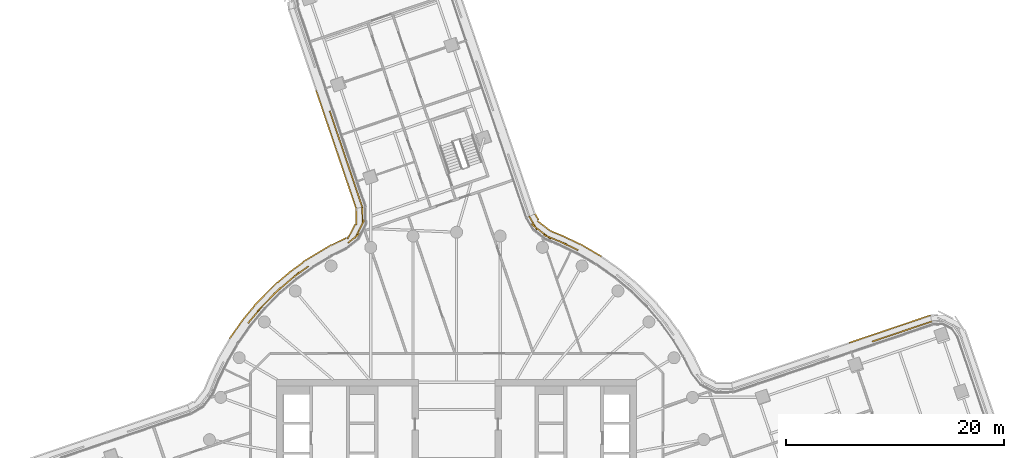
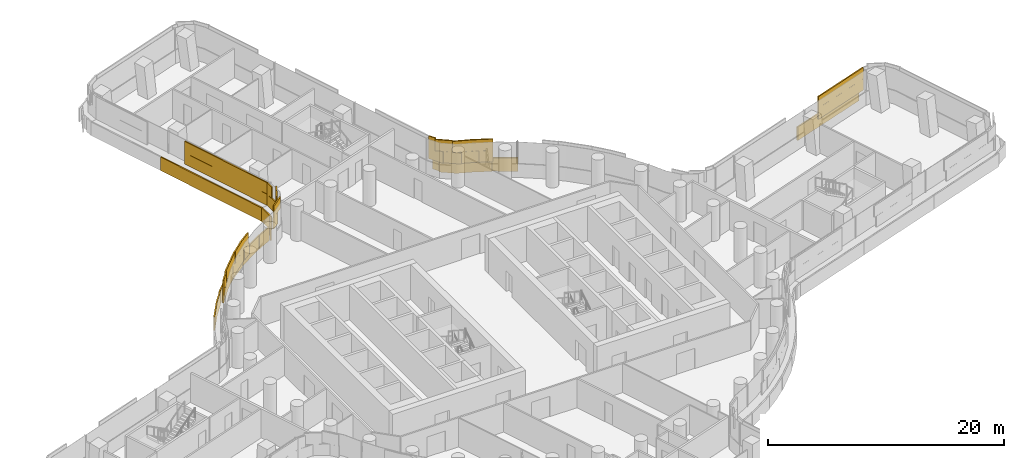
# One storey, part 28 of 29: 4 coverings.
"""IFC4 building model written with IfcOpenShell, lengths in metres."""

import ifcopenshell
import ifcopenshell.guid

model = None  # the IFC model being written
_history = None  # IfcOwnerHistory: only IFC2X3 demands one
_inside = {}  # id of a spatial element -> (the spatial element, [elements in it])
_under = {}  # id of a project, library or spatial element -> (it, [spatial elements below it])
_declared = {}  # id of a project -> (the project, [libraries it declares])
_typed = {}  # id of a type object -> (the type object, [elements of that type])
_made_of = {}  # id of a material, layer set ... -> (it, [elements and type objects made of it])


def new_model(schema):
    """Start an empty IFC model of exactly this schema.

    Asked for "IFC4X3", IfcOpenShell would pick the latest addendum, in which some entities
    have other attributes; the version numbers below select the first issue.
    IFC2X3 requires an IfcOwnerHistory on every rooted entity: one is made here for all.
    """
    global model, _history
    if schema == "IFC4X3":
        model = ifcopenshell.file(schema_version=(4, 3, 0, 0))
    else:
        model = ifcopenshell.file(schema=schema)
    _inside.clear()
    _under.clear()
    _declared.clear()
    _typed.clear()
    _made_of.clear()
    _history = None
    if model.schema == "IFC2X3":
        org = make("IfcOrganization", Name="unknown")
        user = make(
            "IfcPersonAndOrganization",
            ThePerson=make("IfcPerson", FamilyName="unknown"),
            TheOrganization=org,
        )
        app = make(
            "IfcApplication",
            ApplicationDeveloper=org,
            Version="unknown",
            ApplicationFullName="unknown",
            ApplicationIdentifier="unknown",
        )
        _history = make(
            "IfcOwnerHistory",
            OwningUser=user,
            OwningApplication=app,
            ChangeAction="ADDED",
            CreationDate=0,
        )
    return model


def make(cls, **values):
    """One entity of the class cls with the attributes given. An attribute that is None is left unset."""
    return model.create_entity(
        cls, **{name: value for name, value in values.items() if value is not None}
    )


def rooted(cls, **values):
    """An entity with a GlobalId (a new one), such as an element, a storey or a relation."""
    return make(cls, GlobalId=ifcopenshell.guid.new(), OwnerHistory=_history, **values)


def si_unit(unit_type, name, prefix=None):
    """IfcSIUnit, for example si_unit("LENGTHUNIT", "METRE", prefix="MILLI")."""
    return make("IfcSIUnit", UnitType=unit_type, Prefix=prefix, Name=name)


def assignment(units):
    """IfcUnitAssignment: the units of a project."""
    return None if units is None else make("IfcUnitAssignment", Units=units)


def point(xyz):
    """IfcCartesianPoint."""
    return None if xyz is None else make("IfcCartesianPoint", Coordinates=xyz)


def direction(xyz):
    """IfcDirection."""
    return None if xyz is None else make("IfcDirection", DirectionRatios=xyz)


def frame(location, z_axis=None, x_axis=None):
    """IfcAxis2Placement3D, a coordinate frame: its origin and axes. An axis left out is left unset."""
    return make(
        "IfcAxis2Placement3D",
        Location=point(location),
        Axis=direction(z_axis),
        RefDirection=direction(x_axis),
    )


def frame_2d(location, x_axis=None):
    """IfcAxis2Placement2D, a coordinate frame in the plane: its origin and x axis."""
    return make(
        "IfcAxis2Placement2D", Location=point(location), RefDirection=direction(x_axis)
    )


def origin():
    """The frame at (0, 0, 0) with its axes left unset."""
    return frame((0.0, 0.0, 0.0))


def origin_2d():
    """The frame at (0, 0) in the plane with its x axis left unset."""
    return frame_2d((0.0, 0.0))


def place(relative_to, where):
    """IfcLocalPlacement: puts the frame where relative to a parent placement (None: the world)."""
    return make(
        "IfcLocalPlacement", PlacementRelTo=relative_to, RelativePlacement=where
    )


def context(
    kind, dimensions, precision=None, world=None, true_north=None, identifier=None
):
    """IfcGeometricRepresentationContext, for example the 3D "Model" context."""
    return make(
        "IfcGeometricRepresentationContext",
        ContextIdentifier=identifier,
        ContextType=kind,
        CoordinateSpaceDimension=dimensions,
        Precision=precision,
        WorldCoordinateSystem=world,
        TrueNorth=true_north,
    )


def subcontext(parent, identifier, kind, view, scale=None):
    """IfcGeometricRepresentationSubContext, for example "Body" below "Model"."""
    return make(
        "IfcGeometricRepresentationSubContext",
        ContextIdentifier=identifier,
        ContextType=kind,
        ParentContext=parent,
        TargetScale=scale,
        TargetView=view,
    )


def project(units=None, contexts=None):
    """IfcProject with its units and contexts."""
    return rooted(
        "IfcProject",
        Name="project",
        RepresentationContexts=contexts,
        UnitsInContext=assignment(units),
    )


def spatial(cls, under=None, at=None, **own):
    """A site, building, storey or space (cls), placed at a placement, below another one or the project."""
    s = rooted(cls, ObjectPlacement=at, **own)
    if under is not None:
        _under.setdefault(under.id(), (under, []))[1].append(s)
    return s


def profile(cls, at=None, kind="AREA", **sizes):
    """A parametric profile (cls). Its sizes go by their IFC names, for example OverallWidth=200.0."""
    return make(cls, ProfileType=kind, Position=at, **sizes)


def rectangle(**sizes):
    """IfcRectangleProfileDef."""
    return profile("IfcRectangleProfileDef", **sizes)


def extrude(swept, where, along, depth):
    """IfcExtrudedAreaSolid: the profile swept, set in the frame where, extruded along a direction by depth."""
    return make(
        "IfcExtrudedAreaSolid",
        SweptArea=swept,
        Position=where,
        ExtrudedDirection=direction(along),
        Depth=depth,
    )


def shape(context_of_items, identifier, shape_type, items):
    """IfcShapeRepresentation: the items that make up one representation, for example the "Body"."""
    return make(
        "IfcShapeRepresentation",
        ContextOfItems=context_of_items,
        RepresentationIdentifier=identifier,
        RepresentationType=shape_type,
        Items=items,
    )


def material(Name=None, Category=None):
    """IfcMaterial."""
    return make("IfcMaterial", Name=Name, Category=Category)


def layer(
    of_material, thickness, ventilated=None, Name=None, Category=None, Priority=None
):
    """IfcMaterialLayer: one layer of a wall or slab, of a material (None: an air gap)."""
    return make(
        "IfcMaterialLayer",
        Material=of_material,
        LayerThickness=thickness,
        IsVentilated=ventilated,
        Name=Name,
        Category=Category,
        Priority=Priority,
    )


def layer_set(layers, Name=None):
    """IfcMaterialLayerSet."""
    return make("IfcMaterialLayerSet", MaterialLayers=layers, LayerSetName=Name)


def made_of(thing, what):
    """Note that an element or type object is made of a material, layer set ...; save() writes the relation."""
    if what is not None:
        _made_of.setdefault(what.id(), (what, []))[1].append(thing)
    return thing


def type_object(cls, material=None, **own):
    """A type object (cls), such as IfcWallType, which elements share."""
    return made_of(rooted(cls, **own), material)


def element(
    cls,
    number,
    at=None,
    inside=None,
    cuts=None,
    type_object=None,
    material=None,
    context=None,
    identifier="Body",
    shape_type=None,
    held_by="IfcProductDefinitionShape",
    body=None,
    shapes=None,
    **own,
):
    """One element of the class cls, such as IfcWall. Its Tag is "e" and its number.

    at: its placement. inside: the storey or other place that contains it. cuts: it is an
    opening in that element (IfcRelVoidsElement). A single representation is given by context,
    identifier, shape_type and body (its items); several are given by shapes. held_by: the class
    of the entity that holds the representations. save() writes the other relations.
    """
    e = rooted(cls, Tag="e%d" % number, ObjectPlacement=at, **own)
    if body is not None:
        shapes = [shape(context, identifier, shape_type, body)]
    if shapes is not None:
        e.Representation = make(held_by, Representations=shapes)
    if inside is not None:
        _inside.setdefault(inside.id(), (inside, []))[1].append(e)
    if cuts is not None:
        rooted(
            "IfcRelVoidsElement", RelatingBuildingElement=cuts, RelatedOpeningElement=e
        )
    if type_object is not None:
        _typed.setdefault(type_object.id(), (type_object, []))[1].append(e)
    return made_of(e, material)


def aggregate(whole, parts):
    """IfcRelAggregates: a whole, such as a stair, and the parts it consists of."""
    return rooted("IfcRelAggregates", RelatingObject=whole, RelatedObjects=parts)


def save(model, path):
    """Write the relations noted so far, then the file.

    IfcRelAggregates (storeys below a building ...), IfcRelContainedInSpatialStructure (elements
    in a storey), IfcRelDefinesByType, IfcRelAssociatesMaterial and IfcRelDeclares: one each for
    every whole, place, type object, material and project.
    """
    for whole, parts in _under.values():
        aggregate(whole, parts)
    for where, things in _inside.values():
        rooted(
            "IfcRelContainedInSpatialStructure",
            RelatedElements=things,
            RelatingStructure=where,
        )
    for kind, things in _typed.values():
        rooted("IfcRelDefinesByType", RelatedObjects=things, RelatingType=kind)
    for what, things in _made_of.values():
        rooted("IfcRelAssociatesMaterial", RelatedObjects=things, RelatingMaterial=what)
    for by, libraries in _declared.values():
        rooted("IfcRelDeclares", RelatingContext=by, RelatedDefinitions=libraries)
    model.write(path)


model = new_model("IFC4")

# Units and contexts
model_context = context("Model", 3, precision=1e-05, world=origin(), true_north=direction((0.0, 1.0)))
body_context = subcontext(model_context, "Body", "Model", "MODEL_VIEW")
ifc_project = project(units=[si_unit("LENGTHUNIT", "METRE"), si_unit("AREAUNIT", "SQUARE_METRE"), si_unit("VOLUMEUNIT", "CUBIC_METRE"), si_unit("PLANEANGLEUNIT", "RADIAN"), si_unit("MASSUNIT", "GRAM", prefix="KILO")], contexts=[model_context])

# Site, building, storey
site_placement = place(None, origin())
site = spatial("IfcSite", under=ifc_project, at=site_placement, CompositionType="ELEMENT")
building_placement = place(site_placement, origin())
building = spatial("IfcBuilding", under=site, at=building_placement, Name="Tamarind Cross Interchange Tower", CompositionType="ELEMENT")
storey_placement = place(building_placement, frame((0.0, 0.0, 102.25)))
storey = spatial("IfcBuildingStorey", under=building, at=storey_placement, Name="L24", CompositionType="ELEMENT", Elevation=102.25)

# Coverings
ifc_material = material(Name="Terracotta", Category="masonry")
ifc_layer = layer(ifc_material, 0.1201171875)
ifc_layer_set = layer_set([ifc_layer], Name="Terracotta")
covering_type = type_object("IfcCoveringType", Name="Terracotta baguette screen unit", PredefinedType="MOLDING", material=ifc_layer_set)
covering_1_placement = place(storey_placement, origin())
element("IfcCovering", 1, at=covering_1_placement, inside=storey, type_object=covering_type, Name="SCR-L24-09-00", PredefinedType="MOLDING", context=body_context, shape_type="SweptSolid", body=[
    extrude(rectangle(XDim=1.510009765625, YDim=0.1201171875, at=origin_2d()), frame((42.8203125, 14.58154296875, 1.404052734375), z_axis=(0.0, 0.0, 1.0), x_axis=(-0.947092988773, -0.320959297445, 0.0)), (0.0, 0.0, 1.0), 1.1669921875),
    extrude(rectangle(XDim=1.52001953125, YDim=0.1201171875, at=origin_2d()), frame((41.399658203125, 14.10009765625, 1.404052734375), z_axis=(0.0, 0.0, 1.0), x_axis=(-0.947092988773, -0.320959297445, 0.0)), (0.0, 0.0, 1.0), 1.1669921875),
    extrude(rectangle(XDim=1.52001953125, YDim=0.1201171875, at=origin_2d()), frame((39.97900390625, 13.61865234375, 1.404052734375), z_axis=(0.0, 0.0, 1.0), x_axis=(-0.947092988773, -0.320959297445, 0.0)), (0.0, 0.0, 1.0), 1.1669921875),
    extrude(rectangle(XDim=1.256591796875, YDim=0.1201171875, at=origin_2d()), frame((38.678466796875, 13.177734375, 1.404052734375), z_axis=(0.0, 0.0, 1.0), x_axis=(-0.947092988773, -0.320959297445, 0.0)), (0.0, 0.0, 1.0), 1.1669921875),
    extrude(rectangle(XDim=0.760009765625, YDim=0.1201171875, at=origin_2d()), frame((43.175537109375, 14.701904296875, 2.5791015625), z_axis=(0.0, 0.0, 1.0), x_axis=(-0.947092988773, -0.320959297445, 0.0)), (0.0, 0.0, 1.0), 1.1669921875),
    extrude(rectangle(XDim=1.52001953125, YDim=0.1201171875, at=origin_2d()), frame((42.110107421875, 14.3408203125, 2.5791015625), z_axis=(0.0, 0.0, 1.0), x_axis=(-0.947092988773, -0.320959297445, 0.0)), (0.0, 0.0, 1.0), 1.1669921875),
    extrude(rectangle(XDim=1.52001953125, YDim=0.1201171875, at=origin_2d()), frame((40.689453125, 13.859375, 2.5791015625), z_axis=(0.0, 0.0, 1.0), x_axis=(-0.947092988773, -0.320959297445, 0.0)), (0.0, 0.0, 1.0), 1.1669921875),
    extrude(rectangle(XDim=1.52001953125, YDim=0.1201171875, at=origin_2d()), frame((39.268798828125, 13.3779296875, 2.5791015625), z_axis=(0.0, 0.0, 1.0), x_axis=(-0.947092988773, -0.320959297445, 0.0)), (0.0, 0.0, 1.0), 1.1669921875),
    extrude(rectangle(XDim=0.506591796875, YDim=0.1201171875, at=origin_2d()), frame((38.3232421875, 13.057373046875, 2.5791015625), z_axis=(0.0, 0.0, 1.0), x_axis=(-0.947092988773, -0.320959297445, 0.0)), (0.0, 0.0, 1.0), 1.1669921875),
    extrude(rectangle(XDim=1.510009765625, YDim=0.1201171875, at=origin_2d()), frame((42.70263671875, 15.1474609375, 0.00390625), z_axis=(0.0, 0.0, 1.0), x_axis=(-0.947092988773, -0.320959297445, 0.0)), (0.0, 0.0, 1.0), 1.39208984375),
    extrude(rectangle(XDim=1.52001953125, YDim=0.1201171875, at=origin_2d()), frame((41.28662109375, 14.667724609375, 0.00390625), z_axis=(0.0, 0.0, 1.0), x_axis=(-0.947092988773, -0.320959297445, 0.0)), (0.0, 0.0, 1.0), 1.39208984375),
    extrude(rectangle(XDim=1.52001953125, YDim=0.1201171875, at=origin_2d()), frame((39.865966796875, 14.186279296875, 0.00390625), z_axis=(0.0, 0.0, 1.0), x_axis=(-0.947092988773, -0.320959297445, 0.0)), (0.0, 0.0, 1.0), 1.39208984375),
    extrude(rectangle(XDim=1.52001953125, YDim=0.1201171875, at=origin_2d()), frame((38.4453125, 13.704833984375, 0.00390625), z_axis=(0.0, 0.0, 1.0), x_axis=(-0.947092988773, -0.320959297445, 0.0)), (0.0, 0.0, 1.0), 1.39208984375),
    extrude(rectangle(XDim=1.52001953125, YDim=0.1201171875, at=origin_2d()), frame((37.024658203125, 13.223388671875, 0.00390625), z_axis=(0.0, 0.0, 1.0), x_axis=(-0.947092988773, -0.320959297445, 0.0)), (0.0, 0.0, 1.0), 1.39208984375),
    extrude(rectangle(XDim=0.350341796875, YDim=0.1201171875, at=origin_2d()), frame((36.157958984375, 12.9296875, 0.00390625), z_axis=(0.0, 0.0, 1.0), x_axis=(-0.947092988773, -0.320959297445, 0.0)), (0.0, 0.0, 1.0), 1.39208984375),
])
covering_2_placement = place(storey_placement, origin())
element("IfcCovering", 2, at=covering_2_placement, inside=storey, type_object=covering_type, Name="SCR-L24-10-01", PredefinedType="MOLDING", context=body_context, shape_type="SweptSolid", body=[
    extrude(rectangle(XDim=1.19775390625, YDim=0.1201171875, at=origin_2d()), frame((10.58984375, 21.610595703125, 1.404052734375), z_axis=(0.0, 0.0, 1.0), x_axis=(-0.900272776334, 0.435326231914, 0.0)), (0.0, 0.0, 1.0), 1.1669921875),
    extrude(rectangle(XDim=1.52001953125, YDim=0.1201171875, at=origin_2d()), frame((9.374267578125, 22.18310546875, 1.404052734375), z_axis=(0.0, 0.0, 1.0), x_axis=(-0.925257922937, 0.379338603417, 0.0)), (0.0, 0.0, 1.0), 1.1669921875),
    extrude(rectangle(XDim=1.52001953125, YDim=0.1201171875, at=origin_2d()), frame((8.033447265625, 22.833740234375, 1.404052734375), z_axis=(0.0, 0.0, 1.0), x_axis=(-0.792378065232, 0.61003032854, 0.0)), (0.0, 0.0, 1.0), 1.1669921875),
    extrude(rectangle(XDim=1.421630859375, YDim=0.1201171875, at=origin_2d()), frame((7.0107421875, 23.836669921875, 1.404052734375), z_axis=(0.0, 0.0, 1.0), x_axis=(-0.502073640995, 0.864824871878, 0.0)), (0.0, 0.0, 1.0), 1.1669921875),
    extrude(rectangle(XDim=0.44775390625, YDim=0.1201171875, at=origin_2d()), frame((10.927490234375, 21.447265625, 2.5791015625), z_axis=(0.0, 0.0, 1.0), x_axis=(-0.900272776334, 0.435326231914, 0.0)), (0.0, 0.0, 1.0), 1.1669921875),
    extrude(rectangle(XDim=1.52001953125, YDim=0.1201171875, at=origin_2d()), frame((10.05517578125, 21.869140625, 2.5791015625), z_axis=(0.0, 0.0, 1.0), x_axis=(-0.900272776334, 0.435326231914, 0.0)), (0.0, 0.0, 1.0), 1.1669921875),
    extrude(rectangle(XDim=1.52001953125, YDim=0.1201171875, at=origin_2d()), frame((8.680419921875, 22.467529296875, 2.5791015625), z_axis=(0.0, 0.0, 1.0), x_axis=(-0.925257922937, 0.379338603417, 0.0)), (0.0, 0.0, 1.0), 1.1669921875),
    extrude(rectangle(XDim=1.52001953125, YDim=0.1201171875, at=origin_2d()), frame((7.439208984375, 23.291259765625, 2.5791015625), z_axis=(0.0, 0.0, 1.0), x_axis=(-0.792378065232, 0.61003032854, 0.0)), (0.0, 0.0, 1.0), 1.1669921875),
    extrude(rectangle(XDim=0.671630859375, YDim=0.1201171875, at=origin_2d()), frame((6.822509765625, 24.160888671875, 2.5791015625), z_axis=(0.0, 0.0, 1.0), x_axis=(-0.502073640995, 0.864824871878, 0.0)), (0.0, 0.0, 1.0), 1.1669921875),
    extrude(rectangle(XDim=0.731689453125, YDim=0.1201171875, at=origin_2d()), frame((12.9375, 20.97509765625, 0.00390625), z_axis=(0.0, 0.0, 1.0), x_axis=(-0.861248933065, 0.508183308752, 0.0)), (0.0, 0.0, 1.0), 1.39208984375),
    extrude(rectangle(XDim=1.52001953125, YDim=0.1201171875, at=origin_2d()), frame((11.985107421875, 21.537109375, 0.00390625), z_axis=(0.0, 0.0, 1.0), x_axis=(-0.861248933065, 0.508183308752, 0.0)), (0.0, 0.0, 1.0), 1.39208984375),
    extrude(rectangle(XDim=1.52001953125, YDim=0.1201171875, at=origin_2d()), frame((10.650146484375, 22.218994140625, 0.00390625), z_axis=(0.0, 0.0, 1.0), x_axis=(-0.900272776334, 0.435326231914, 0.0)), (0.0, 0.0, 1.0), 1.39208984375),
    extrude(rectangle(XDim=1.52001953125, YDim=0.1201171875, at=origin_2d()), frame((9.285400390625, 22.840087890625, 0.00390625), z_axis=(0.0, 0.0, 1.0), x_axis=(-0.925257922937, 0.379338603417, 0.0)), (0.0, 0.0, 1.0), 1.39208984375),
    extrude(rectangle(XDim=1.52001953125, YDim=0.1201171875, at=origin_2d()), frame((7.998779296875, 23.584716796875, 0.00390625), z_axis=(0.0, 0.0, 1.0), x_axis=(-0.792378065232, 0.61003032854, 0.0)), (0.0, 0.0, 1.0), 1.39208984375),
    extrude(rectangle(XDim=0.65283203125, YDim=0.1201171875, at=origin_2d()), frame((7.345458984375, 24.403564453125, 0.00390625), z_axis=(0.0, 0.0, 1.0), x_axis=(-0.502073640995, 0.864824871878, 0.0)), (0.0, 0.0, 1.0), 1.39208984375),
])
covering_3_placement = place(storey_placement, origin())
element("IfcCovering", 3, at=covering_3_placement, inside=storey, type_object=covering_type, Name="SCR-L24-13-01", PredefinedType="MOLDING", context=body_context, shape_type="SweptSolid", body=[
    extrude(rectangle(XDim=0.5634765625, YDim=0.1201171875, at=origin_2d()), frame((-11.541015625, 33.848388671875, 1.404052734375), z_axis=(0.0, 0.0, 1.0), x_axis=(0.320959297445, -0.947092988773, 0.0)), (0.0, 0.0, 1.0), 1.1669921875),
    extrude(rectangle(XDim=1.52001953125, YDim=0.1201171875, at=origin_2d()), frame((-11.21142578125, 32.8759765625, 1.404052734375), z_axis=(0.0, 0.0, 1.0), x_axis=(0.320959297445, -0.947092988773, 0.0)), (0.0, 0.0, 1.0), 1.1669921875),
    extrude(rectangle(XDim=1.52001953125, YDim=0.1201171875, at=origin_2d()), frame((-10.72998046875, 31.455322265625, 1.404052734375), z_axis=(0.0, 0.0, 1.0), x_axis=(0.320959297445, -0.947092988773, 0.0)), (0.0, 0.0, 1.0), 1.1669921875),
    extrude(rectangle(XDim=1.52001953125, YDim=0.1201171875, at=origin_2d()), frame((-10.24853515625, 30.03466796875, 1.404052734375), z_axis=(0.0, 0.0, 1.0), x_axis=(0.320959297445, -0.947092988773, 0.0)), (0.0, 0.0, 1.0), 1.1669921875),
    extrude(rectangle(XDim=1.52001953125, YDim=0.1201171875, at=origin_2d()), frame((-9.76708984375, 28.614013671875, 1.404052734375), z_axis=(0.0, 0.0, 1.0), x_axis=(0.320959297445, -0.947092988773, 0.0)), (0.0, 0.0, 1.0), 1.1669921875),
    extrude(rectangle(XDim=1.52001953125, YDim=0.1201171875, at=origin_2d()), frame((-9.28564453125, 27.193359375, 1.404052734375), z_axis=(0.0, 0.0, 1.0), x_axis=(0.320959297445, -0.947092988773, 0.0)), (0.0, 0.0, 1.0), 1.1669921875),
    extrude(rectangle(XDim=1.270751953125, YDim=0.1201171875, at=origin_2d()), frame((-8.842529296875, 25.885986328125, 1.404052734375), z_axis=(0.0, 0.0, 1.0), x_axis=(0.320959297445, -0.947092988773, 0.0)), (0.0, 0.0, 1.0), 1.1669921875),
    extrude(rectangle(XDim=1.3134765625, YDim=0.1201171875, at=origin_2d()), frame((-11.420654296875, 33.4931640625, 2.5791015625), z_axis=(0.0, 0.0, 1.0), x_axis=(0.320959297445, -0.947092988773, 0.0)), (0.0, 0.0, 1.0), 1.1669921875),
    extrude(rectangle(XDim=1.52001953125, YDim=0.1201171875, at=origin_2d()), frame((-10.970703125, 32.16552734375, 2.5791015625), z_axis=(0.0, 0.0, 1.0), x_axis=(0.320959297445, -0.947092988773, 0.0)), (0.0, 0.0, 1.0), 1.1669921875),
    extrude(rectangle(XDim=1.52001953125, YDim=0.1201171875, at=origin_2d()), frame((-10.4892578125, 30.744873046875, 2.5791015625), z_axis=(0.0, 0.0, 1.0), x_axis=(0.320959297445, -0.947092988773, 0.0)), (0.0, 0.0, 1.0), 1.1669921875),
    extrude(rectangle(XDim=1.52001953125, YDim=0.1201171875, at=origin_2d()), frame((-10.0078125, 29.32421875, 2.5791015625), z_axis=(0.0, 0.0, 1.0), x_axis=(0.320959297445, -0.947092988773, 0.0)), (0.0, 0.0, 1.0), 1.1669921875),
    extrude(rectangle(XDim=1.52001953125, YDim=0.1201171875, at=origin_2d()), frame((-9.5263671875, 27.903564453125, 2.5791015625), z_axis=(0.0, 0.0, 1.0), x_axis=(0.320959297445, -0.947092988773, 0.0)), (0.0, 0.0, 1.0), 1.1669921875),
    extrude(rectangle(XDim=1.52001953125, YDim=0.1201171875, at=origin_2d()), frame((-9.044921875, 26.48291015625, 2.5791015625), z_axis=(0.0, 0.0, 1.0), x_axis=(0.320959297445, -0.947092988773, 0.0)), (0.0, 0.0, 1.0), 1.1669921875),
    extrude(rectangle(XDim=0.520751953125, YDim=0.1201171875, at=origin_2d()), frame((-8.72216796875, 25.53076171875, 2.5791015625), z_axis=(0.0, 0.0, 1.0), x_axis=(0.320959297445, -0.947092988773, 0.0)), (0.0, 0.0, 1.0), 1.1669921875),
    extrude(rectangle(XDim=1.169677734375, YDim=0.1201171875, at=origin_2d()), frame((-12.685791015625, 35.438232421875, 0.00390625), z_axis=(0.0, 0.0, 1.0), x_axis=(0.320959297445, -0.947092988773, 0.0)), (0.0, 0.0, 1.0), 1.39208984375),
    extrude(rectangle(XDim=1.52001953125, YDim=0.1201171875, at=origin_2d()), frame((-12.260498046875, 34.183349609375, 0.00390625), z_axis=(0.0, 0.0, 1.0), x_axis=(0.320959297445, -0.947092988773, 0.0)), (0.0, 0.0, 1.0), 1.39208984375),
    extrude(rectangle(XDim=1.52001953125, YDim=0.1201171875, at=origin_2d()), frame((-11.779052734375, 32.7626953125, 0.00390625), z_axis=(0.0, 0.0, 1.0), x_axis=(0.320959297445, -0.947092988773, 0.0)), (0.0, 0.0, 1.0), 1.39208984375),
    extrude(rectangle(XDim=1.52001953125, YDim=0.1201171875, at=origin_2d()), frame((-11.297607421875, 31.342041015625, 0.00390625), z_axis=(0.0, 0.0, 1.0), x_axis=(0.320959297445, -0.947092988773, 0.0)), (0.0, 0.0, 1.0), 1.39208984375),
    extrude(rectangle(XDim=1.52001953125, YDim=0.1201171875, at=origin_2d()), frame((-10.816162109375, 29.92138671875, 0.00390625), z_axis=(0.0, 0.0, 1.0), x_axis=(0.320959297445, -0.947092988773, 0.0)), (0.0, 0.0, 1.0), 1.39208984375),
    extrude(rectangle(XDim=1.52001953125, YDim=0.1201171875, at=origin_2d()), frame((-10.334716796875, 28.5009765625, 0.00390625), z_axis=(0.0, 0.0, 1.0), x_axis=(0.320959297445, -0.947092988773, 0.0)), (0.0, 0.0, 1.0), 1.39208984375),
    extrude(rectangle(XDim=1.52001953125, YDim=0.1201171875, at=origin_2d()), frame((-9.853271484375, 27.080322265625, 0.00390625), z_axis=(0.0, 0.0, 1.0), x_axis=(0.320959297445, -0.947092988773, 0.0)), (0.0, 0.0, 1.0), 1.39208984375),
    extrude(rectangle(XDim=1.25537109375, YDim=0.1201171875, at=origin_2d()), frame((-9.414306640625, 25.784912109375, 0.00390625), z_axis=(0.0, 0.0, 1.0), x_axis=(0.320959297445, -0.947092988773, 0.0)), (0.0, 0.0, 1.0), 1.39208984375),
])
covering_4_placement = place(storey_placement, origin())
element("IfcCovering", 4, at=covering_4_placement, inside=storey, type_object=covering_type, Name="SCR-L24-14-00", PredefinedType="MOLDING", context=body_context, shape_type="SweptSolid", body=[
    extrude(rectangle(XDim=1.510009765625, YDim=0.1201171875, at=origin_2d()), frame((-8.629638671875, 24.5390625, 1.404052734375), z_axis=(0.0, 0.0, 1.0), x_axis=(0.014161944655, -0.999899714633, 0.0)), (0.0, 0.0, 1.0), 1.1669921875),
    extrude(rectangle(XDim=1.52001953125, YDim=0.1201171875, at=origin_2d()), frame((-8.96484375, 23.12255859375, 1.404052734375), z_axis=(0.0, 0.0, 1.0), x_axis=(-0.456093142104, -0.889932045566, 0.0)), (0.0, 0.0, 1.0), 1.1669921875),
    extrude(rectangle(XDim=0.79638671875, YDim=0.1201171875, at=origin_2d()), frame((-9.660888671875, 22.247802734375, 1.404052734375), z_axis=(0.0, 0.0, 1.0), x_axis=(-0.781691079877, -0.623665820485, 0.0)), (0.0, 0.0, 1.0), 1.1669921875),
    extrude(rectangle(XDim=1.0234375, YDim=0.1201171875, at=origin_2d()), frame((-13.9912109375, 19.58056640625, 1.404052734375), z_axis=(0.0, 0.0, 1.0), x_axis=(-0.811340475102, -0.584573890505, 0.0)), (0.0, 0.0, 1.0), 1.1669921875),
    extrude(rectangle(XDim=1.52001953125, YDim=0.1201171875, at=origin_2d()), frame((-15.00244140625, 18.835205078125, 1.404052734375), z_axis=(0.0, 0.0, 1.0), x_axis=(-0.760295606781, -0.64957723968, 0.0)), (0.0, 0.0, 1.0), 1.1669921875),
    extrude(rectangle(XDim=1.52001953125, YDim=0.1201171875, at=origin_2d()), frame((-16.142822265625, 17.86083984375, 1.404052734375), z_axis=(0.0, 0.0, 1.0), x_axis=(-0.760295606781, -0.64957723968, 0.0)), (0.0, 0.0, 1.0), 1.1669921875),
    extrude(rectangle(XDim=1.52001953125, YDim=0.1201171875, at=origin_2d()), frame((-17.217041015625, 16.815185546875, 1.404052734375), z_axis=(0.0, 0.0, 1.0), x_axis=(-0.704057148523, -0.710143317658, 0.0)), (0.0, 0.0, 1.0), 1.1669921875),
    extrude(rectangle(XDim=1.52001953125, YDim=0.1201171875, at=origin_2d()), frame((-18.2314453125, 15.711669921875, 1.404052734375), z_axis=(0.0, 0.0, 1.0), x_axis=(-0.643009266048, -0.765858396687, 0.0)), (0.0, 0.0, 1.0), 1.1669921875),
    extrude(rectangle(XDim=0.622314453125, YDim=0.1201171875, at=origin_2d()), frame((-18.910400390625, 14.90283203125, 1.404052734375), z_axis=(0.0, 0.0, 1.0), x_axis=(-0.643009266048, -0.765858396687, 0.0)), (0.0, 0.0, 1.0), 1.1669921875),
    extrude(rectangle(XDim=0.760009765625, YDim=0.1201171875, at=origin_2d()), frame((-8.635009765625, 24.9140625, 2.5791015625), z_axis=(0.0, 0.0, 1.0), x_axis=(0.014161944655, -0.999899714633, 0.0)), (0.0, 0.0, 1.0), 1.1669921875),
    extrude(rectangle(XDim=1.52001953125, YDim=0.1201171875, at=origin_2d()), frame((-8.622802734375, 23.7900390625, 2.5791015625), z_axis=(0.0, 0.0, 1.0), x_axis=(-0.456093142104, -0.889932045566, 0.0)), (0.0, 0.0, 1.0), 1.1669921875),
    extrude(rectangle(XDim=1.52001953125, YDim=0.1201171875, at=origin_2d()), frame((-9.353515625, 22.4931640625, 2.5791015625), z_axis=(0.0, 0.0, 1.0), x_axis=(-0.781691079877, -0.623665820485, 0.0)), (0.0, 0.0, 1.0), 1.1669921875),
    extrude(rectangle(XDim=1.52001953125, YDim=0.1201171875, at=origin_2d()), frame((-14.40234375, 19.284423828125, 2.5791015625), z_axis=(0.0, 0.0, 1.0), x_axis=(-0.811340475102, -0.584573890505, 0.0)), (0.0, 0.0, 1.0), 1.1669921875),
    extrude(rectangle(XDim=1.52001953125, YDim=0.1201171875, at=origin_2d()), frame((-15.572509765625, 18.347900390625, 2.5791015625), z_axis=(0.0, 0.0, 1.0), x_axis=(-0.760295606781, -0.64957723968, 0.0)), (0.0, 0.0, 1.0), 1.1669921875),
    extrude(rectangle(XDim=1.52001953125, YDim=0.1201171875, at=origin_2d()), frame((-16.68896484375, 17.34765625, 2.5791015625), z_axis=(0.0, 0.0, 1.0), x_axis=(-0.704057148523, -0.710143317658, 0.0)), (0.0, 0.0, 1.0), 1.1669921875),
    extrude(rectangle(XDim=1.52001953125, YDim=0.1201171875, at=origin_2d()), frame((-17.7451171875, 16.282470703125, 2.5791015625), z_axis=(0.0, 0.0, 1.0), x_axis=(-0.704057148523, -0.710143317658, 0.0)), (0.0, 0.0, 1.0), 1.1669921875),
    extrude(rectangle(XDim=1.372314453125, YDim=0.1201171875, at=origin_2d()), frame((-18.66943359375, 15.190185546875, 2.5791015625), z_axis=(0.0, 0.0, 1.0), x_axis=(-0.643009266048, -0.765858396687, 0.0)), (0.0, 0.0, 1.0), 1.1669921875),
    extrude(rectangle(XDim=1.510009765625, YDim=0.1201171875, at=origin_2d()), frame((-9.2021484375, 24.435546875, 0.00390625), z_axis=(0.0, 0.0, 1.0), x_axis=(0.014161944655, -0.999899714633, 0.0)), (0.0, 0.0, 1.0), 1.39208984375),
    extrude(rectangle(XDim=1.52001953125, YDim=0.1201171875, at=origin_2d()), frame((-9.647216796875, 23.049560546875, 0.00390625), z_axis=(0.0, 0.0, 1.0), x_axis=(-0.456093142104, -0.889932045566, 0.0)), (0.0, 0.0, 1.0), 1.39208984375),
    extrude(rectangle(XDim=1.52001953125, YDim=0.1201171875, at=origin_2d()), frame((-10.81884765625, 22.13916015625, 0.00390625), z_axis=(0.0, 0.0, 1.0), x_axis=(-0.895831910961, -0.444393054967, 0.0)), (0.0, 0.0, 1.0), 1.39208984375),
    extrude(rectangle(XDim=1.52001953125, YDim=0.1201171875, at=origin_2d()), frame((-12.148193359375, 21.4462890625, 0.00390625), z_axis=(0.0, 0.0, 1.0), x_axis=(-0.856843065292, -0.515577308909, 0.0)), (0.0, 0.0, 1.0), 1.39208984375),
    extrude(rectangle(XDim=1.52001953125, YDim=0.1201171875, at=origin_2d()), frame((-13.43359375, 20.6728515625, 0.00390625), z_axis=(0.0, 0.0, 1.0), x_axis=(-0.856843065292, -0.515577308909, 0.0)), (0.0, 0.0, 1.0), 1.39208984375),
    extrude(rectangle(XDim=1.52001953125, YDim=0.1201171875, at=origin_2d()), frame((-14.658203125, 19.8076171875, 0.00390625), z_axis=(0.0, 0.0, 1.0), x_axis=(-0.811340475102, -0.584573890505, 0.0)), (0.0, 0.0, 1.0), 1.39208984375),
    extrude(rectangle(XDim=1.52001953125, YDim=0.1201171875, at=origin_2d()), frame((-15.83447265625, 18.879150390625, 0.00390625), z_axis=(0.0, 0.0, 1.0), x_axis=(-0.760295606781, -0.64957723968, 0.0)), (0.0, 0.0, 1.0), 1.39208984375),
    extrude(rectangle(XDim=1.52001953125, YDim=0.1201171875, at=origin_2d()), frame((-16.960693359375, 17.88916015625, 0.00390625), z_axis=(0.0, 0.0, 1.0), x_axis=(-0.704057148523, -0.710143317658, 0.0)), (0.0, 0.0, 1.0), 1.39208984375),
    extrude(rectangle(XDim=1.52001953125, YDim=0.1201171875, at=origin_2d()), frame((-18.0166015625, 16.823974609375, 0.00390625), z_axis=(0.0, 0.0, 1.0), x_axis=(-0.704057148523, -0.710143317658, 0.0)), (0.0, 0.0, 1.0), 1.39208984375),
    extrude(rectangle(XDim=1.52001953125, YDim=0.1201171875, at=origin_2d()), frame((-18.998291015625, 15.69091796875, 0.00390625), z_axis=(0.0, 0.0, 1.0), x_axis=(-0.643009266048, -0.765858396687, 0.0)), (0.0, 0.0, 1.0), 1.39208984375),
    extrude(rectangle(XDim=1.52001953125, YDim=0.1201171875, at=origin_2d()), frame((-19.91845703125, 14.5078125, 0.00390625), z_axis=(0.0, 0.0, 1.0), x_axis=(-0.577568978284, -0.816341886298, 0.0)), (0.0, 0.0, 1.0), 1.39208984375),
    extrude(rectangle(XDim=0.788330078125, YDim=0.1201171875, at=origin_2d()), frame((-20.573486328125, 13.58203125, 0.00390625), z_axis=(0.0, 0.0, 1.0), x_axis=(-0.577568978284, -0.816341886298, 0.0)), (0.0, 0.0, 1.0), 1.39208984375),
])

save(model, "model.ifc")
